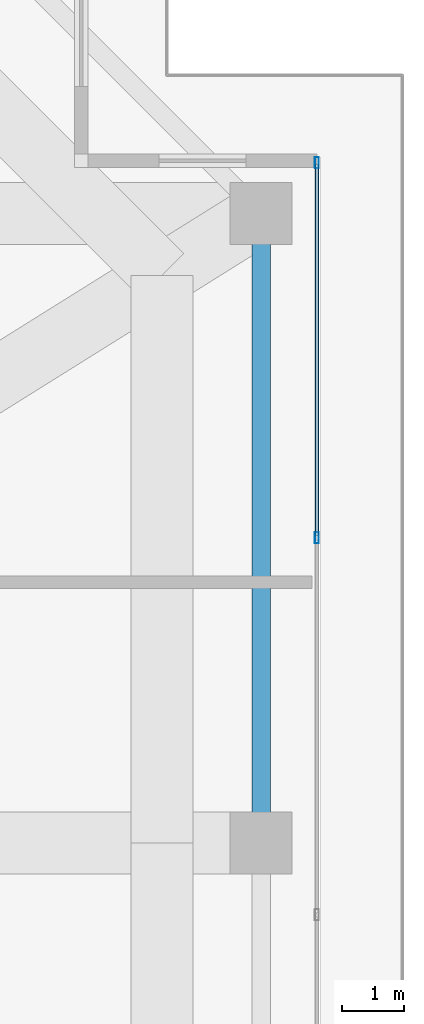
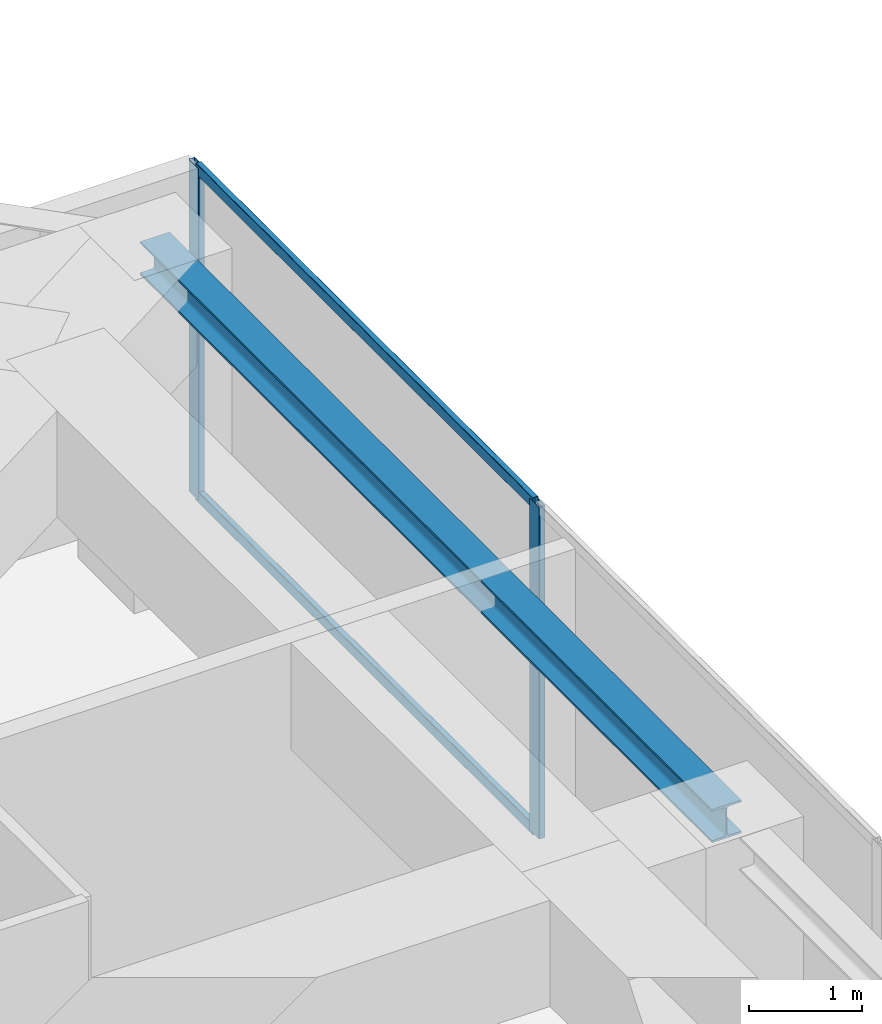
# One storey, part 27 of 40: 4 members, 1 beam, 1 element without a shape of its own.
"""IFC4 building model written with IfcOpenShell, lengths in metres."""

import ifcopenshell
import ifcopenshell.guid

model = None  # the IFC model being written
_history = None  # IfcOwnerHistory: only IFC2X3 demands one
_inside = {}  # id of a spatial element -> (the spatial element, [elements in it])
_under = {}  # id of a project, library or spatial element -> (it, [spatial elements below it])
_declared = {}  # id of a project -> (the project, [libraries it declares])
_typed = {}  # id of a type object -> (the type object, [elements of that type])
_made_of = {}  # id of a material, layer set ... -> (it, [elements and type objects made of it])


def new_model(schema):
    """Start an empty IFC model of exactly this schema.

    Asked for "IFC4X3", IfcOpenShell would pick the latest addendum, in which some entities
    have other attributes; the version numbers below select the first issue.
    IFC2X3 requires an IfcOwnerHistory on every rooted entity: one is made here for all.
    """
    global model, _history
    if schema == "IFC4X3":
        model = ifcopenshell.file(schema_version=(4, 3, 0, 0))
    else:
        model = ifcopenshell.file(schema=schema)
    _inside.clear()
    _under.clear()
    _declared.clear()
    _typed.clear()
    _made_of.clear()
    _history = None
    if model.schema == "IFC2X3":
        org = make("IfcOrganization", Name="unknown")
        user = make(
            "IfcPersonAndOrganization",
            ThePerson=make("IfcPerson", FamilyName="unknown"),
            TheOrganization=org,
        )
        app = make(
            "IfcApplication",
            ApplicationDeveloper=org,
            Version="unknown",
            ApplicationFullName="unknown",
            ApplicationIdentifier="unknown",
        )
        _history = make(
            "IfcOwnerHistory",
            OwningUser=user,
            OwningApplication=app,
            ChangeAction="ADDED",
            CreationDate=0,
        )
    return model


def make(cls, **values):
    """One entity of the class cls with the attributes given. An attribute that is None is left unset."""
    return model.create_entity(
        cls, **{name: value for name, value in values.items() if value is not None}
    )


def rooted(cls, **values):
    """An entity with a GlobalId (a new one), such as an element, a storey or a relation."""
    return make(cls, GlobalId=ifcopenshell.guid.new(), OwnerHistory=_history, **values)


def si_unit(unit_type, name, prefix=None):
    """IfcSIUnit, for example si_unit("LENGTHUNIT", "METRE", prefix="MILLI")."""
    return make("IfcSIUnit", UnitType=unit_type, Prefix=prefix, Name=name)


def assignment(units):
    """IfcUnitAssignment: the units of a project."""
    return None if units is None else make("IfcUnitAssignment", Units=units)


def point(xyz):
    """IfcCartesianPoint."""
    return None if xyz is None else make("IfcCartesianPoint", Coordinates=xyz)


def direction(xyz):
    """IfcDirection."""
    return None if xyz is None else make("IfcDirection", DirectionRatios=xyz)


def frame(location, z_axis=None, x_axis=None):
    """IfcAxis2Placement3D, a coordinate frame: its origin and axes. An axis left out is left unset."""
    return make(
        "IfcAxis2Placement3D",
        Location=point(location),
        Axis=direction(z_axis),
        RefDirection=direction(x_axis),
    )


def frame_2d(location, x_axis=None):
    """IfcAxis2Placement2D, a coordinate frame in the plane: its origin and x axis."""
    return make(
        "IfcAxis2Placement2D", Location=point(location), RefDirection=direction(x_axis)
    )


def origin():
    """The frame at (0, 0, 0) with its axes left unset."""
    return frame((0.0, 0.0, 0.0))


def origin_2d():
    """The frame at (0, 0) in the plane with its x axis left unset."""
    return frame_2d((0.0, 0.0))


def place(relative_to, where):
    """IfcLocalPlacement: puts the frame where relative to a parent placement (None: the world)."""
    return make(
        "IfcLocalPlacement", PlacementRelTo=relative_to, RelativePlacement=where
    )


def context(
    kind, dimensions, precision=None, world=None, true_north=None, identifier=None
):
    """IfcGeometricRepresentationContext, for example the 3D "Model" context."""
    return make(
        "IfcGeometricRepresentationContext",
        ContextIdentifier=identifier,
        ContextType=kind,
        CoordinateSpaceDimension=dimensions,
        Precision=precision,
        WorldCoordinateSystem=world,
        TrueNorth=true_north,
    )


def subcontext(parent, identifier, kind, view, scale=None):
    """IfcGeometricRepresentationSubContext, for example "Body" below "Model"."""
    return make(
        "IfcGeometricRepresentationSubContext",
        ContextIdentifier=identifier,
        ContextType=kind,
        ParentContext=parent,
        TargetScale=scale,
        TargetView=view,
    )


def project(units=None, contexts=None):
    """IfcProject with its units and contexts."""
    return rooted(
        "IfcProject",
        Name="project",
        RepresentationContexts=contexts,
        UnitsInContext=assignment(units),
    )


def spatial(cls, under=None, at=None, **own):
    """A site, building, storey or space (cls), placed at a placement, below another one or the project."""
    s = rooted(cls, ObjectPlacement=at, **own)
    if under is not None:
        _under.setdefault(under.id(), (under, []))[1].append(s)
    return s


def profile(cls, at=None, kind="AREA", **sizes):
    """A parametric profile (cls). Its sizes go by their IFC names, for example OverallWidth=200.0."""
    return make(cls, ProfileType=kind, Position=at, **sizes)


def hollow_rectangle(**sizes):
    """IfcRectangleHollowProfileDef."""
    return profile("IfcRectangleHollowProfileDef", **sizes)


def i_section(**sizes):
    """IfcIShapeProfileDef."""
    return profile("IfcIShapeProfileDef", **sizes)


def extrude(swept, where, along, depth):
    """IfcExtrudedAreaSolid: the profile swept, set in the frame where, extruded along a direction by depth."""
    return make(
        "IfcExtrudedAreaSolid",
        SweptArea=swept,
        Position=where,
        ExtrudedDirection=direction(along),
        Depth=depth,
    )


def shape(context_of_items, identifier, shape_type, items):
    """IfcShapeRepresentation: the items that make up one representation, for example the "Body"."""
    return make(
        "IfcShapeRepresentation",
        ContextOfItems=context_of_items,
        RepresentationIdentifier=identifier,
        RepresentationType=shape_type,
        Items=items,
    )


def source(mapping_origin, context_of_items, identifier, shape_type, items):
    """IfcRepresentationMap: a shape defined once, which mapped items show again and again."""
    return make(
        "IfcRepresentationMap",
        MappingOrigin=mapping_origin,
        MappedRepresentation=shape(context_of_items, identifier, shape_type, items),
    )


def transform(
    local_origin,
    x_axis=None,
    y_axis=None,
    z_axis=None,
    scale=None,
    scale2=None,
    scale3=None,
    uniform=True,
):
    """IfcCartesianTransformationOperator3D, or its non-uniform kind. x_axis, y_axis, z_axis: its Axis1, 2, 3."""
    if uniform:
        return make(
            "IfcCartesianTransformationOperator3D",
            Axis1=direction(x_axis),
            Axis2=direction(y_axis),
            LocalOrigin=point(local_origin),
            Scale=scale,
            Axis3=direction(z_axis),
        )
    return make(
        "IfcCartesianTransformationOperator3DnonUniform",
        Axis1=direction(x_axis),
        Axis2=direction(y_axis),
        LocalOrigin=point(local_origin),
        Scale=scale,
        Axis3=direction(z_axis),
        Scale2=scale2,
        Scale3=scale3,
    )


def mapped(mapping_source, mapping_target):
    """IfcMappedItem: shows the shape of a source again, moved by a transform."""
    return make(
        "IfcMappedItem", MappingSource=mapping_source, MappingTarget=mapping_target
    )


def material(Name=None, Category=None):
    """IfcMaterial."""
    return make("IfcMaterial", Name=Name, Category=Category)


def layer(
    of_material, thickness, ventilated=None, Name=None, Category=None, Priority=None
):
    """IfcMaterialLayer: one layer of a wall or slab, of a material (None: an air gap)."""
    return make(
        "IfcMaterialLayer",
        Material=of_material,
        LayerThickness=thickness,
        IsVentilated=ventilated,
        Name=Name,
        Category=Category,
        Priority=Priority,
    )


def layer_set(layers, Name=None):
    """IfcMaterialLayerSet."""
    return make("IfcMaterialLayerSet", MaterialLayers=layers, LayerSetName=Name)


def material_profile(
    of_material, cross_section, Name=None, Category=None, Priority=None
):
    """IfcMaterialProfile: a cross section and its material."""
    return make(
        "IfcMaterialProfile",
        Name=Name,
        Material=of_material,
        Profile=cross_section,
        Priority=Priority,
        Category=Category,
    )


def profile_set(profiles, Name=None, composite=None):
    """IfcMaterialProfileSet."""
    return make(
        "IfcMaterialProfileSet",
        Name=Name,
        MaterialProfiles=profiles,
        CompositeProfile=composite,
    )


def made_of(thing, what):
    """Note that an element or type object is made of a material, layer set ...; save() writes the relation."""
    if what is not None:
        _made_of.setdefault(what.id(), (what, []))[1].append(thing)
    return thing


def type_object(cls, material=None, **own):
    """A type object (cls), such as IfcWallType, which elements share."""
    return made_of(rooted(cls, **own), material)


def element(
    cls,
    number,
    at=None,
    inside=None,
    cuts=None,
    type_object=None,
    material=None,
    context=None,
    identifier="Body",
    shape_type=None,
    held_by="IfcProductDefinitionShape",
    body=None,
    shapes=None,
    **own,
):
    """One element of the class cls, such as IfcWall. Its Tag is "e" and its number.

    at: its placement. inside: the storey or other place that contains it. cuts: it is an
    opening in that element (IfcRelVoidsElement). A single representation is given by context,
    identifier, shape_type and body (its items); several are given by shapes. held_by: the class
    of the entity that holds the representations. save() writes the other relations.
    """
    e = rooted(cls, Tag="e%d" % number, ObjectPlacement=at, **own)
    if body is not None:
        shapes = [shape(context, identifier, shape_type, body)]
    if shapes is not None:
        e.Representation = make(held_by, Representations=shapes)
    if inside is not None:
        _inside.setdefault(inside.id(), (inside, []))[1].append(e)
    if cuts is not None:
        rooted(
            "IfcRelVoidsElement", RelatingBuildingElement=cuts, RelatedOpeningElement=e
        )
    if type_object is not None:
        _typed.setdefault(type_object.id(), (type_object, []))[1].append(e)
    return made_of(e, material)


def aggregate(whole, parts):
    """IfcRelAggregates: a whole, such as a stair, and the parts it consists of."""
    return rooted("IfcRelAggregates", RelatingObject=whole, RelatedObjects=parts)


def save(model, path):
    """Write the relations noted so far, then the file.

    IfcRelAggregates (storeys below a building ...), IfcRelContainedInSpatialStructure (elements
    in a storey), IfcRelDefinesByType, IfcRelAssociatesMaterial and IfcRelDeclares: one each for
    every whole, place, type object, material and project.
    """
    for whole, parts in _under.values():
        aggregate(whole, parts)
    for where, things in _inside.values():
        rooted(
            "IfcRelContainedInSpatialStructure",
            RelatedElements=things,
            RelatingStructure=where,
        )
    for kind, things in _typed.values():
        rooted("IfcRelDefinesByType", RelatedObjects=things, RelatingType=kind)
    for what, things in _made_of.values():
        rooted("IfcRelAssociatesMaterial", RelatedObjects=things, RelatingMaterial=what)
    for by, libraries in _declared.values():
        rooted("IfcRelDeclares", RelatingContext=by, RelatedDefinitions=libraries)
    model.write(path)


model = new_model("IFC4")

# Units and contexts
model_context = context("Model", 3, precision=1e-05, world=origin(), true_north=direction((0.0, 1.0)))
body_context = subcontext(model_context, "Body", "Model", "MODEL_VIEW")
ifc_project = project(units=[si_unit("LENGTHUNIT", "METRE"), si_unit("AREAUNIT", "SQUARE_METRE"), si_unit("VOLUMEUNIT", "CUBIC_METRE"), si_unit("PLANEANGLEUNIT", "RADIAN"), si_unit("MASSUNIT", "GRAM", prefix="KILO")], contexts=[model_context])

# Site, building, storey
site_placement = place(None, origin())
site = spatial("IfcSite", under=ifc_project, at=site_placement, CompositionType="ELEMENT")
building_placement = place(site_placement, origin())
building = spatial("IfcBuilding", under=site, at=building_placement, Name="Serunith Strait Residences", CompositionType="ELEMENT")
storey_placement = place(building_placement, frame((0.0, 0.0, 333.949951171875)))
storey = spatial("IfcBuildingStorey", under=building, at=storey_placement, Name="L83", CompositionType="ELEMENT", Elevation=333.949951171875)

# Beam
ifc_material_1 = material(Name="Steel S355J2", Category="steel")
ifc_material_profile_1 = material_profile(ifc_material_1, i_section(OverallWidth=0.300048828125, OverallDepth=0.360107421875, WebThickness=0.012451171875, FlangeThickness=0.0224609375, FilletRadius=0.027099609375, at=origin_2d()), Name="HEB 360")
ifc_profile_set_1 = profile_set([ifc_material_profile_1], Name="Steel S355J2")
beam_type = type_object("IfcBeamType", Name="BM-HEB360", PredefinedType="BEAM", material=ifc_profile_set_1)
shared_shape_1 = source(origin(), body_context, "Body", "SweptSolid", [
    extrude(i_section(OverallWidth=0.300048828125, OverallDepth=0.360107421875, WebThickness=0.012451171875, FlangeThickness=0.0224609375, FilletRadius=0.027099609375, at=origin_2d()), origin(), (0.0, 0.0, 1.0), 10.150146484375),
])
beam_placement = place(storey_placement, frame((54.699951171875, 29.39990234375, 3.427001953125), z_axis=(0.0, 1.0, 0.0), x_axis=(-1.0, 0.0, 0.0)))
element("IfcBeam", 1, at=beam_placement, inside=storey, type_object=beam_type, Name="L83 Perimeter Ring Beam 07", PredefinedType="BEAM", context=body_context, shape_type="MappedRepresentation", body=[
    mapped(shared_shape_1, transform((0.0, 0.0, 0.0), scale=1.0)),
])

# Curtain wall, members
ifc_material_2 = material(Name="Brushed Stainless-Silver Aluminium", Category="aluminium")
ifc_layer = layer(ifc_material_2, 0.199951171875, Name="Brushed Stainless-Silver Aluminium")
ifc_layer_set = layer_set([ifc_layer], Name="Brushed Stainless-Silver Aluminium")
curtain_wall_type = type_object("IfcCurtainWallType", Name="CW-SYS5", PredefinedType="NOTDEFINED", material=ifc_layer_set)
curtain_wall_placement = place(storey_placement, origin())
curtain_wall = element("IfcCurtainWall", 2, at=curtain_wall_placement, inside=storey, type_object=curtain_wall_type, Name="L83 E Unitised Fritted Curtain Wall", PredefinedType="NOTDEFINED")
ifc_material_profile_2 = material_profile(ifc_material_2, hollow_rectangle(XDim=0.06005859375, YDim=0.1201171875, WallThickness=0.00341796875, InnerFilletRadius=0.00537109375, OuterFilletRadius=0.0087890625, at=origin_2d()), Name="ALU 120x60x3.5")
ifc_profile_set_2 = profile_set([ifc_material_profile_2], Name="Brushed Stainless-Silver Aluminium")
member_type_1 = type_object("IfcMemberType", Name="CW-SYS5-TRAN", PredefinedType="USERDEFINED", material=ifc_profile_set_2)
shared_shape_2 = source(origin(), body_context, "Body", "SweptSolid", [
    extrude(hollow_rectangle(XDim=0.06005859375, YDim=0.1201171875, WallThickness=0.00341796875, InnerFilletRadius=0.00537109375, OuterFilletRadius=0.0087890625, at=origin_2d()), origin(), (0.0, 0.0, 1.0), 5.982421875),
])
member_1_placement = place(storey_placement, frame((55.60009765625, 34.3525390625, 0.030029296875), z_axis=(0.0, 1.0, 0.0), x_axis=(-1.0, 0.0, 0.0)))
member_1 = element("IfcMember", 3, at=member_1_placement, type_object=member_type_1, Name="CW-5 transom 5.1", ObjectType="TRANSOM", PredefinedType="USERDEFINED", context=body_context, shape_type="MappedRepresentation", body=[
    mapped(shared_shape_2, transform((0.0, 0.0, 0.0), scale=1.0)),
])
member_2_placement = place(storey_placement, frame((55.60009765625, 34.3525390625, 3.56494140625), z_axis=(0.0, 1.0, 0.0), x_axis=(-1.0, 0.0, 0.0)))
member_2 = element("IfcMember", 4, at=member_2_placement, type_object=member_type_1, Name="CW-5 transom 5.2", ObjectType="TRANSOM", PredefinedType="USERDEFINED", context=body_context, shape_type="MappedRepresentation", body=[
    mapped(shared_shape_2, transform((0.0, 0.0, 0.0), scale=1.0)),
])
ifc_material_profile_3 = material_profile(ifc_material_2, hollow_rectangle(XDim=0.06494140625, YDim=0.179931640625, WallThickness=0.00341796875, InnerFilletRadius=0.00537109375, OuterFilletRadius=0.0087890625, at=origin_2d()), Name="ALU 180x65x3.5")
ifc_profile_set_3 = profile_set([ifc_material_profile_3], Name="Brushed Stainless-Silver Aluminium")
member_type_2 = type_object("IfcMemberType", Name="CW-SYS5-MULL", PredefinedType="MULLION", material=ifc_profile_set_3)
shared_shape_3 = source(origin(), body_context, "Body", "SweptSolid", [
    extrude(hollow_rectangle(XDim=0.06494140625, YDim=0.179931640625, WallThickness=0.00341796875, InnerFilletRadius=0.00537109375, OuterFilletRadius=0.0087890625, at=origin_2d()), origin(), (0.0, 0.0, 1.0), 3.594970703125),
])
member_3_placement = place(storey_placement, frame((55.60009765625, 34.320068359375, 0.0), z_axis=(0.0, 0.0, 1.0), x_axis=(-1.0, 0.0, 0.0)))
member_3 = element("IfcMember", 5, at=member_3_placement, type_object=member_type_2, Name="CW-5 mullion 5", PredefinedType="MULLION", context=body_context, shape_type="MappedRepresentation", body=[
    mapped(shared_shape_3, transform((0.0, 0.0, 0.0), scale=1.0)),
])
member_4_placement = place(storey_placement, frame((55.60009765625, 40.367431640625, 0.0), z_axis=(0.0, 0.0, 1.0), x_axis=(-1.0, 0.0, 0.0)))
member_4 = element("IfcMember", 6, at=member_4_placement, type_object=member_type_2, Name="CW-5 mullion 6", PredefinedType="MULLION", context=body_context, shape_type="MappedRepresentation", body=[
    mapped(shared_shape_3, transform((0.0, 0.0, 0.0), scale=1.0)),
])
aggregate(curtain_wall, [member_3, member_4, member_1, member_2])

save(model, "model.ifc")
